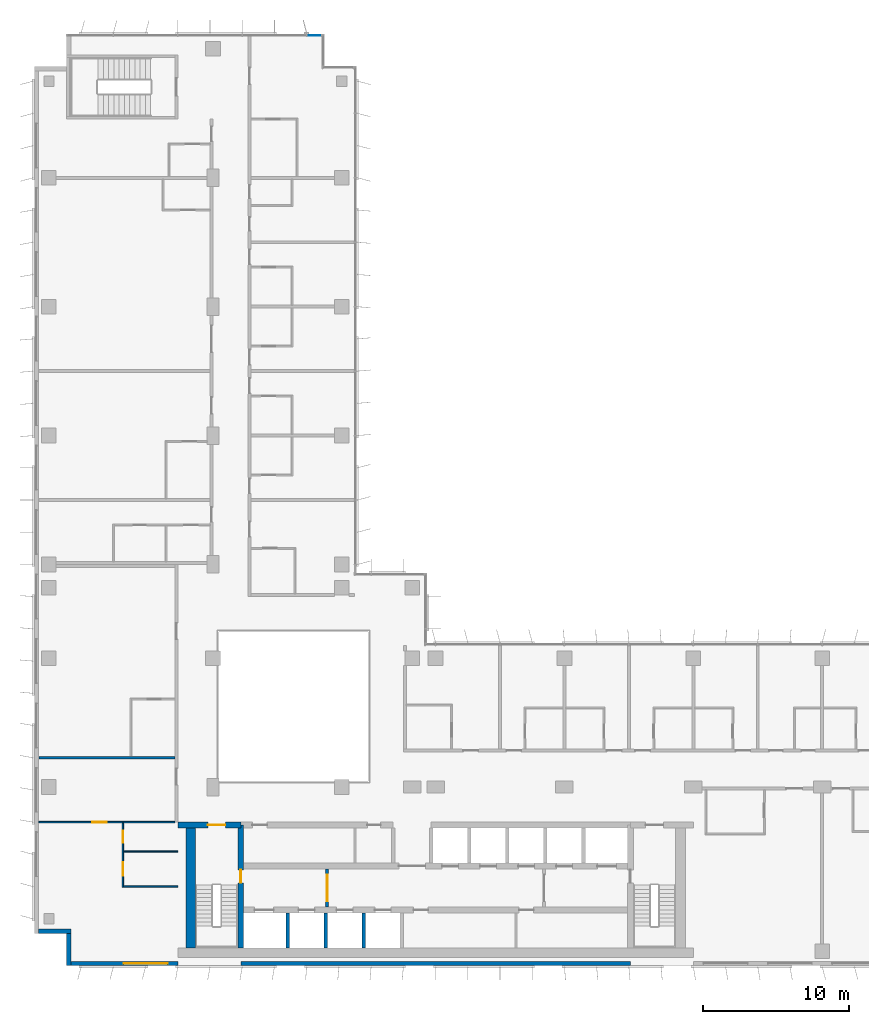
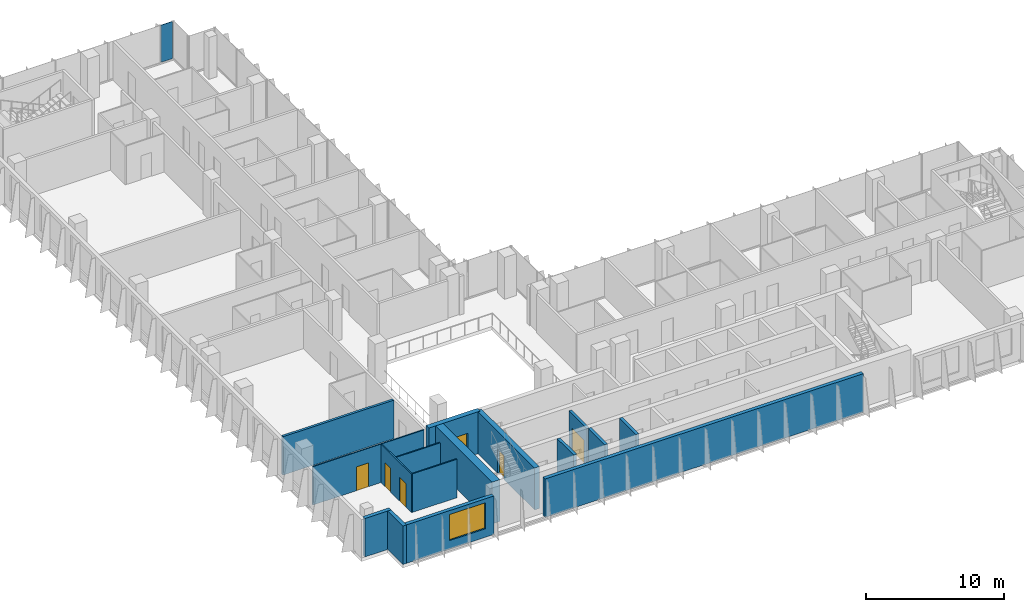
# One storey, part 12 of 21: 16 walls, 6 doors, 1 plate, 1 window, 7 openings, 1 element without a shape of its own.
"""IFC4 building model written with IfcOpenShell, lengths in metres."""

import ifcopenshell
import ifcopenshell.guid

model = None  # the IFC model being written
_history = None  # IfcOwnerHistory: only IFC2X3 demands one
_inside = {}  # id of a spatial element -> (the spatial element, [elements in it])
_under = {}  # id of a project, library or spatial element -> (it, [spatial elements below it])
_declared = {}  # id of a project -> (the project, [libraries it declares])
_typed = {}  # id of a type object -> (the type object, [elements of that type])
_made_of = {}  # id of a material, layer set ... -> (it, [elements and type objects made of it])


def new_model(schema):
    """Start an empty IFC model of exactly this schema.

    Asked for "IFC4X3", IfcOpenShell would pick the latest addendum, in which some entities
    have other attributes; the version numbers below select the first issue.
    IFC2X3 requires an IfcOwnerHistory on every rooted entity: one is made here for all.
    """
    global model, _history
    if schema == "IFC4X3":
        model = ifcopenshell.file(schema_version=(4, 3, 0, 0))
    else:
        model = ifcopenshell.file(schema=schema)
    _inside.clear()
    _under.clear()
    _declared.clear()
    _typed.clear()
    _made_of.clear()
    _history = None
    if model.schema == "IFC2X3":
        org = make("IfcOrganization", Name="unknown")
        user = make(
            "IfcPersonAndOrganization",
            ThePerson=make("IfcPerson", FamilyName="unknown"),
            TheOrganization=org,
        )
        app = make(
            "IfcApplication",
            ApplicationDeveloper=org,
            Version="unknown",
            ApplicationFullName="unknown",
            ApplicationIdentifier="unknown",
        )
        _history = make(
            "IfcOwnerHistory",
            OwningUser=user,
            OwningApplication=app,
            ChangeAction="ADDED",
            CreationDate=0,
        )
    return model


def make(cls, **values):
    """One entity of the class cls with the attributes given. An attribute that is None is left unset."""
    return model.create_entity(
        cls, **{name: value for name, value in values.items() if value is not None}
    )


def rooted(cls, **values):
    """An entity with a GlobalId (a new one), such as an element, a storey or a relation."""
    return make(cls, GlobalId=ifcopenshell.guid.new(), OwnerHistory=_history, **values)


def si_unit(unit_type, name, prefix=None):
    """IfcSIUnit, for example si_unit("LENGTHUNIT", "METRE", prefix="MILLI")."""
    return make("IfcSIUnit", UnitType=unit_type, Prefix=prefix, Name=name)


def assignment(units):
    """IfcUnitAssignment: the units of a project."""
    return None if units is None else make("IfcUnitAssignment", Units=units)


def point(xyz):
    """IfcCartesianPoint."""
    return None if xyz is None else make("IfcCartesianPoint", Coordinates=xyz)


def direction(xyz):
    """IfcDirection."""
    return None if xyz is None else make("IfcDirection", DirectionRatios=xyz)


def frame(location, z_axis=None, x_axis=None):
    """IfcAxis2Placement3D, a coordinate frame: its origin and axes. An axis left out is left unset."""
    return make(
        "IfcAxis2Placement3D",
        Location=point(location),
        Axis=direction(z_axis),
        RefDirection=direction(x_axis),
    )


def frame_2d(location, x_axis=None):
    """IfcAxis2Placement2D, a coordinate frame in the plane: its origin and x axis."""
    return make(
        "IfcAxis2Placement2D", Location=point(location), RefDirection=direction(x_axis)
    )


def origin():
    """The frame at (0, 0, 0) with its axes left unset."""
    return frame((0.0, 0.0, 0.0))


def origin_2d():
    """The frame at (0, 0) in the plane with its x axis left unset."""
    return frame_2d((0.0, 0.0))


def place(relative_to, where):
    """IfcLocalPlacement: puts the frame where relative to a parent placement (None: the world)."""
    return make(
        "IfcLocalPlacement", PlacementRelTo=relative_to, RelativePlacement=where
    )


def context(
    kind, dimensions, precision=None, world=None, true_north=None, identifier=None
):
    """IfcGeometricRepresentationContext, for example the 3D "Model" context."""
    return make(
        "IfcGeometricRepresentationContext",
        ContextIdentifier=identifier,
        ContextType=kind,
        CoordinateSpaceDimension=dimensions,
        Precision=precision,
        WorldCoordinateSystem=world,
        TrueNorth=true_north,
    )


def subcontext(parent, identifier, kind, view, scale=None):
    """IfcGeometricRepresentationSubContext, for example "Body" below "Model"."""
    return make(
        "IfcGeometricRepresentationSubContext",
        ContextIdentifier=identifier,
        ContextType=kind,
        ParentContext=parent,
        TargetScale=scale,
        TargetView=view,
    )


def project(units=None, contexts=None):
    """IfcProject with its units and contexts."""
    return rooted(
        "IfcProject",
        Name="project",
        RepresentationContexts=contexts,
        UnitsInContext=assignment(units),
    )


def spatial(cls, under=None, at=None, **own):
    """A site, building, storey or space (cls), placed at a placement, below another one or the project."""
    s = rooted(cls, ObjectPlacement=at, **own)
    if under is not None:
        _under.setdefault(under.id(), (under, []))[1].append(s)
    return s


def profile(cls, at=None, kind="AREA", **sizes):
    """A parametric profile (cls). Its sizes go by their IFC names, for example OverallWidth=200.0."""
    return make(cls, ProfileType=kind, Position=at, **sizes)


def rectangle(**sizes):
    """IfcRectangleProfileDef."""
    return profile("IfcRectangleProfileDef", **sizes)


def extrude(swept, where, along, depth):
    """IfcExtrudedAreaSolid: the profile swept, set in the frame where, extruded along a direction by depth."""
    return make(
        "IfcExtrudedAreaSolid",
        SweptArea=swept,
        Position=where,
        ExtrudedDirection=direction(along),
        Depth=depth,
    )


def shape(context_of_items, identifier, shape_type, items):
    """IfcShapeRepresentation: the items that make up one representation, for example the "Body"."""
    return make(
        "IfcShapeRepresentation",
        ContextOfItems=context_of_items,
        RepresentationIdentifier=identifier,
        RepresentationType=shape_type,
        Items=items,
    )


def source(mapping_origin, context_of_items, identifier, shape_type, items):
    """IfcRepresentationMap: a shape defined once, which mapped items show again and again."""
    return make(
        "IfcRepresentationMap",
        MappingOrigin=mapping_origin,
        MappedRepresentation=shape(context_of_items, identifier, shape_type, items),
    )


def transform(
    local_origin,
    x_axis=None,
    y_axis=None,
    z_axis=None,
    scale=None,
    scale2=None,
    scale3=None,
    uniform=True,
):
    """IfcCartesianTransformationOperator3D, or its non-uniform kind. x_axis, y_axis, z_axis: its Axis1, 2, 3."""
    if uniform:
        return make(
            "IfcCartesianTransformationOperator3D",
            Axis1=direction(x_axis),
            Axis2=direction(y_axis),
            LocalOrigin=point(local_origin),
            Scale=scale,
            Axis3=direction(z_axis),
        )
    return make(
        "IfcCartesianTransformationOperator3DnonUniform",
        Axis1=direction(x_axis),
        Axis2=direction(y_axis),
        LocalOrigin=point(local_origin),
        Scale=scale,
        Axis3=direction(z_axis),
        Scale2=scale2,
        Scale3=scale3,
    )


def mapped(mapping_source, mapping_target):
    """IfcMappedItem: shows the shape of a source again, moved by a transform."""
    return make(
        "IfcMappedItem", MappingSource=mapping_source, MappingTarget=mapping_target
    )


def material(Name=None, Category=None):
    """IfcMaterial."""
    return make("IfcMaterial", Name=Name, Category=Category)


def layer(
    of_material, thickness, ventilated=None, Name=None, Category=None, Priority=None
):
    """IfcMaterialLayer: one layer of a wall or slab, of a material (None: an air gap)."""
    return make(
        "IfcMaterialLayer",
        Material=of_material,
        LayerThickness=thickness,
        IsVentilated=ventilated,
        Name=Name,
        Category=Category,
        Priority=Priority,
    )


def layer_set(layers, Name=None):
    """IfcMaterialLayerSet."""
    return make("IfcMaterialLayerSet", MaterialLayers=layers, LayerSetName=Name)


def made_of(thing, what):
    """Note that an element or type object is made of a material, layer set ...; save() writes the relation."""
    if what is not None:
        _made_of.setdefault(what.id(), (what, []))[1].append(thing)
    return thing


def type_object(cls, material=None, **own):
    """A type object (cls), such as IfcWallType, which elements share."""
    return made_of(rooted(cls, **own), material)


def element(
    cls,
    number,
    at=None,
    inside=None,
    cuts=None,
    type_object=None,
    material=None,
    context=None,
    identifier="Body",
    shape_type=None,
    held_by="IfcProductDefinitionShape",
    body=None,
    shapes=None,
    **own,
):
    """One element of the class cls, such as IfcWall. Its Tag is "e" and its number.

    at: its placement. inside: the storey or other place that contains it. cuts: it is an
    opening in that element (IfcRelVoidsElement). A single representation is given by context,
    identifier, shape_type and body (its items); several are given by shapes. held_by: the class
    of the entity that holds the representations. save() writes the other relations.
    """
    e = rooted(cls, Tag="e%d" % number, ObjectPlacement=at, **own)
    if body is not None:
        shapes = [shape(context, identifier, shape_type, body)]
    if shapes is not None:
        e.Representation = make(held_by, Representations=shapes)
    if inside is not None:
        _inside.setdefault(inside.id(), (inside, []))[1].append(e)
    if cuts is not None:
        rooted(
            "IfcRelVoidsElement", RelatingBuildingElement=cuts, RelatedOpeningElement=e
        )
    if type_object is not None:
        _typed.setdefault(type_object.id(), (type_object, []))[1].append(e)
    return made_of(e, material)


def fill(opening, filler):
    """IfcRelFillsElement: the door or window that sits in an opening."""
    return rooted(
        "IfcRelFillsElement",
        RelatingOpeningElement=opening,
        RelatedBuildingElement=filler,
    )


def aggregate(whole, parts):
    """IfcRelAggregates: a whole, such as a stair, and the parts it consists of."""
    return rooted("IfcRelAggregates", RelatingObject=whole, RelatedObjects=parts)


def save(model, path):
    """Write the relations noted so far, then the file.

    IfcRelAggregates (storeys below a building ...), IfcRelContainedInSpatialStructure (elements
    in a storey), IfcRelDefinesByType, IfcRelAssociatesMaterial and IfcRelDeclares: one each for
    every whole, place, type object, material and project.
    """
    for whole, parts in _under.values():
        aggregate(whole, parts)
    for where, things in _inside.values():
        rooted(
            "IfcRelContainedInSpatialStructure",
            RelatedElements=things,
            RelatingStructure=where,
        )
    for kind, things in _typed.values():
        rooted("IfcRelDefinesByType", RelatedObjects=things, RelatingType=kind)
    for what, things in _made_of.values():
        rooted("IfcRelAssociatesMaterial", RelatedObjects=things, RelatingMaterial=what)
    for by, libraries in _declared.values():
        rooted("IfcRelDeclares", RelatingContext=by, RelatedDefinitions=libraries)
    model.write(path)


model = new_model("IFC4")

# Units and contexts
model_context = context("Model", 3, precision=1e-05, world=origin(), true_north=direction((0.0, 1.0)))
body_context = subcontext(model_context, "Body", "Model", "MODEL_VIEW")
ifc_project = project(units=[si_unit("LENGTHUNIT", "METRE"), si_unit("AREAUNIT", "SQUARE_METRE"), si_unit("VOLUMEUNIT", "CUBIC_METRE"), si_unit("PLANEANGLEUNIT", "RADIAN"), si_unit("MASSUNIT", "GRAM", prefix="KILO")], contexts=[model_context])

# Site, building, storey
site_placement = place(None, origin())
site = spatial("IfcSite", under=ifc_project, at=site_placement, CompositionType="ELEMENT")
building_placement = place(site_placement, origin())
building = spatial("IfcBuilding", under=site, at=building_placement, Name="Kemantara Hotel Tower", CompositionType="ELEMENT")
storey_placement = place(building_placement, frame((0.0, 0.0, 215.39990234375)))
storey = spatial("IfcBuildingStorey", under=building, at=storey_placement, Name="L53", CompositionType="ELEMENT", Elevation=215.39990234375)

# Curtain wall, plate
ifc_material_1 = material(Name="Low-E tinted double insulated glass 36 mm", Category="glass")
curtain_wall_type = type_object("IfcCurtainWallType", Name="TOWER CURTAIN WALL, FRONT FACES", PredefinedType="USERDEFINED", material=ifc_material_1)
curtain_wall_placement = place(storey_placement, origin())
curtain_wall = element("IfcCurtainWall", 1, at=curtain_wall_placement, inside=storey, type_object=curtain_wall_type, Name="CW4 L53 T3-R02-1", ObjectType="TOWER CURTAIN WALL, FRONT FACES", PredefinedType="USERDEFINED")
ifc_layer_1 = layer(ifc_material_1, 0.035888671875)
ifc_layer_set_1 = layer_set([ifc_layer_1], Name="Low-E tinted double insulated glass 36 mm")
plate_type = type_object("IfcPlateType", Name="TOWER CURTAIN WALL, FRONT FACES PANEL", PredefinedType="CURTAIN_PANEL", material=ifc_layer_set_1)
shared_shape = source(origin(), body_context, "Body", "SweptSolid", [
    extrude(rectangle(XDim=0.9599609375, YDim=0.035888671875, at=origin_2d()), origin(), (0.0, 0.0, 1.0), 3.280029296875),
])
plate_placement = place(storey_placement, frame((19.110107421875, 63.52490234375, 0.1201171875), z_axis=(0.0, 0.0, 1.0), x_axis=(-1.0, 0.0, 0.0)))
plate = element("IfcPlate", 2, at=plate_placement, type_object=plate_type, Name="CW4 glass panel T3-R02-1.1", PredefinedType="CURTAIN_PANEL", context=body_context, shape_type="MappedRepresentation", body=[
    mapped(shared_shape, transform((0.0, 0.0, 0.0))),
])
aggregate(curtain_wall, [plate])

# Walls
ifc_material_2 = material(Name="Bronze anodised aluminium cladding on insulated steel stud wall", Category="steel")
ifc_layer_2 = layer(ifc_material_2, 0.300048828125)
ifc_layer_set_2 = layer_set([ifc_layer_2], Name="Bronze anodised aluminium cladding on insulated steel stud wall")
wall_type_1 = type_object("IfcWallType", Name="BRONZE METAL-CLAD EXTERNAL WALL 300", PredefinedType="STANDARD", material=ifc_layer_set_2)
for number, where, z_axis, x_axis, name in (
    (3, (0.300048828125, 2.35009765625, 0.0), (0.0, 0.0, 1.0), (1.0, 0.0, 0.0), "EXTERNAL WALL L53 T3-R06"),
    (4, (2.35009765625, 2.199951171875, 0.0), (0.0, 0.0, 1.0), (0.0, -1.0, 0.0), "EXTERNAL WALL L53 T3-R07"),
):
    element("IfcWall", number, at=place(storey_placement, frame(where, z_axis=z_axis, x_axis=x_axis)), inside=storey, type_object=wall_type_1, Name=name, PredefinedType="STANDARD", context=body_context, shape_type="SweptSolid", body=[
        extrude(rectangle(XDim=2.199951171875, YDim=0.300048828125, at=frame_2d((1.10009765625, 0.0))), origin(), (0.0, 0.0, 1.0), 3.400146484375),
    ])

# Wall, opening, window
wall_1_placement = place(storey_placement, frame((2.5, 0.14990234375, 0.0), z_axis=(0.0, 0.0, 1.0), x_axis=(1.0, 0.0, 0.0)))
wall_1 = element("IfcWall", 5, at=wall_1_placement, inside=storey, type_object=wall_type_1, Name="EXTERNAL WALL L53 T3-R08", PredefinedType="STANDARD", context=body_context, shape_type="SweptSolid", body=[
    extrude(rectangle(XDim=7.300048828125, YDim=0.300048828125, at=frame_2d((3.64990234375, 0.0))), origin(), (0.0, 0.0, 1.0), 3.400146484375),
])
opening_1_placement = place(wall_1_placement, frame((3.60009765625, 0.0, 0.75)))
opening_1 = element("IfcOpeningElement", 6, at=opening_1_placement, cuts=wall_1, Name="Opening W1", PredefinedType="OPENING", context=body_context, shape_type="SweptSolid", body=[
    extrude(rectangle(XDim=3.0, YDim=2.300048828125, at=frame_2d((1.5, 1.14990234375))), frame((0.0, 0.159912109375, 0.0), z_axis=(0.0, -1.0, 0.0), x_axis=(1.0, 0.0, 0.0)), (0.0, 0.0, 1.0), 0.320068359375),
])
ifc_material_3 = material(Name="Low-E tinted double insulated glass in bronze anodised aluminium frame", Category="aluminium")
window_type = type_object("IfcWindowType", Name="CHICAGO WINDOW, TRIPLE PANEL 3000x2300", PartitioningType="TRIPLE_PANEL_VERTICAL", PredefinedType="WINDOW", material=ifc_material_3)
window_placement = place(opening_1_placement, origin())
window = element("IfcWindow", 7, at=window_placement, inside=storey, type_object=window_type, Name="CHICAGO WINDOW L53 T3-R08-54", OverallHeight=2.300048828125, OverallWidth=3.0, PartitioningType="SINGLE_PANEL", PredefinedType="WINDOW", context=body_context, shape_type="SweptSolid", body=[
    extrude(rectangle(XDim=3.0, YDim=2.300048828125, at=frame_2d((1.5, 1.14990234375))), frame((0.0, 0.030029296875, 0.0), z_axis=(0.0, -1.0, 0.0), x_axis=(1.0, 0.0, 0.0)), (0.0, 0.0, 1.0), 0.06005859375),
])
fill(opening_1, window)

# Walls
wall_2_placement = place(storey_placement, frame((14.10009765625, 0.14990234375, 0.0), z_axis=(0.0, 0.0, 1.0), x_axis=(1.0, 0.0, 0.0)))
element("IfcWall", 8, at=wall_2_placement, inside=storey, type_object=wall_type_1, Name="EXTERNAL WALL L53 T3-R08-2", PredefinedType="STANDARD", context=body_context, shape_type="SweptSolid", body=[
    extrude(rectangle(XDim=26.599853515625, YDim=0.300048828125, at=frame_2d((13.2998046875, 0.0))), origin(), (0.0, 0.0, 1.0), 3.400146484375),
])
ifc_material_4 = material(Name="Concrete fc 60 MPa", Category="concrete")
ifc_layer_3 = layer(ifc_material_4, 0.25)
ifc_layer_set_3 = layer_set([ifc_layer_3], Name="Concrete fc 60 MPa")
wall_type_2 = type_object("IfcWallType", Name="CORE WALL 250 FC60", PredefinedType="SHEAR", material=ifc_layer_set_3)
for number, where, z_axis, x_axis, name in (
    (9, (17.300048828125, 1.199951171875, 0.0), (0.0, 0.0, 1.0), (0.0, 1.0, 0.0), "CORE WALL CW-DS17.3"),
    (10, (19.89990234375, 1.199951171875, 0.0), (0.0, 0.0, 1.0), (0.0, 1.0, 0.0), "CORE WALL CW-DS19.9"),
    (11, (22.5, 1.199951171875, 0.0), (0.0, 0.0, 1.0), (0.0, 1.0, 0.0), "CORE WALL CW-DS22.5"),
):
    element("IfcWall", number, at=place(storey_placement, frame(where, z_axis=z_axis, x_axis=x_axis)), inside=storey, type_object=wall_type_2, Name=name, PredefinedType="SHEAR", context=body_context, shape_type="SweptSolid", body=[
        extrude(rectangle(XDim=2.400146484375, YDim=0.25, at=frame_2d((1.2001953125, 0.0))), origin(), (0.0, 0.0, 1.0), 3.7001953125),
    ])

# Wall, opening, door
ifc_layer_4 = layer(ifc_material_4, 0.39990234375)
ifc_layer_set_4 = layer_set([ifc_layer_4], Name="Concrete fc 60 MPa")
wall_type_3 = type_object("IfcWallType", Name="CORE WALL 400 FC60", PredefinedType="SHEAR", material=ifc_layer_set_4)
wall_3_placement = place(storey_placement, frame((9.800048828125, 9.60009765625, 0.0), z_axis=(0.0, 0.0, 1.0), x_axis=(1.0, 0.0, 0.0)))
wall_3 = element("IfcWall", 12, at=wall_3_placement, inside=storey, type_object=wall_type_3, Name="CORE WALL CW-N1", PredefinedType="SHEAR", context=body_context, shape_type="SweptSolid", body=[
    extrude(rectangle(XDim=4.300048828125, YDim=0.39990234375, at=frame_2d((2.14990234375, 0.0))), origin(), (0.0, 0.0, 1.0), 3.7001953125),
])
opening_2_placement = place(wall_3_placement, frame((2.050048828125, 0.0, 0.0)))
opening_2 = element("IfcOpeningElement", 13, at=opening_2_placement, cuts=wall_3, Name="Opening C33-ST1-C", PredefinedType="OPENING", context=body_context, shape_type="SweptSolid", body=[
    extrude(rectangle(XDim=1.199951171875, YDim=2.10009765625, at=frame_2d((0.60009765625, 1.050048828125))), frame((0.0, 0.2099609375, 0.0), z_axis=(0.0, -1.0, 0.0), x_axis=(1.0, 0.0, 0.0)), (0.0, 0.0, 1.0), 0.419921875),
])
ifc_material_5 = material(Name="Steel fire door", Category="steel")
door_type_1 = type_object("IfcDoorType", Name="Fire door FD90 1200 x 2100", OperationType="NOTDEFINED", PredefinedType="DOOR", material=ifc_material_5)
door_1_placement = place(opening_2_placement, frame((1.199951171875, 0.0, 0.0), z_axis=(0.0, 0.0, 1.0), x_axis=(-1.0, 0.0, 0.0)))
door_1 = element("IfcDoor", 14, at=door_1_placement, inside=storey, type_object=door_type_1, Name="Stair ST1 door to corridor", OperationType="SINGLE_SWING_LEFT", OverallHeight=2.10009765625, OverallWidth=1.199951171875, PredefinedType="DOOR", context=body_context, shape_type="SweptSolid", body=[
    extrude(rectangle(XDim=1.199951171875, YDim=2.10009765625, at=frame_2d((0.60009765625, 1.050048828125))), frame((0.0, 0.02490234375, 0.0), z_axis=(0.0, -1.0, 0.0), x_axis=(1.0, 0.0, 0.0)), (0.0, 0.0, 1.0), 0.050048828125),
])
fill(opening_2, door_1)

wall_4_placement = place(storey_placement, frame((14.10009765625, 1.199951171875, 0.0), z_axis=(0.0, 0.0, 1.0), x_axis=(0.0, 1.0, 0.0)))
wall_4 = element("IfcWall", 15, at=wall_4_placement, inside=storey, type_object=wall_type_3, Name="CORE WALL CW-ST1E", PredefinedType="SHEAR", context=body_context, shape_type="SweptSolid", body=[
    extrude(rectangle(XDim=8.400146484375, YDim=0.39990234375, at=frame_2d((4.2001953125, 0.0))), origin(), (0.0, 0.0, 1.0), 3.7001953125),
])
opening_3_placement = place(wall_4_placement, frame((4.449951171875, 0.0, 0.0)))
opening_3 = element("IfcOpeningElement", 16, at=opening_3_placement, cuts=wall_4, Name="Opening C33-ST1-F", PredefinedType="OPENING", context=body_context, shape_type="SweptSolid", body=[
    extrude(rectangle(XDim=0.89990234375, YDim=2.10009765625, at=frame_2d((0.449951171875, 1.050048828125))), frame((0.0, 0.2099609375, 0.0), z_axis=(0.0, -1.0, 0.0), x_axis=(1.0, 0.0, 0.0)), (0.0, 0.0, 1.0), 0.419921875),
])
door_type_2 = type_object("IfcDoorType", Name="Fire door FD90 900 x 2100", OperationType="NOTDEFINED", PredefinedType="DOOR", material=ifc_material_5)
door_2_placement = place(opening_3_placement, origin())
door_2 = element("IfcDoor", 17, at=door_2_placement, inside=storey, type_object=door_type_2, Name="Stair ST1 door to firefighting lobby", OperationType="SINGLE_SWING_RIGHT", OverallHeight=2.10009765625, OverallWidth=0.89990234375, PredefinedType="DOOR", context=body_context, shape_type="SweptSolid", body=[
    extrude(rectangle(XDim=0.89990234375, YDim=2.10009765625, at=frame_2d((0.449951171875, 1.050048828125))), frame((0.0, 0.02490234375, 0.0), z_axis=(0.0, -1.0, 0.0), x_axis=(1.0, 0.0, 0.0)), (0.0, 0.0, 1.0), 0.050048828125),
])
fill(opening_3, door_2)

# Walls
ifc_layer_5 = layer(ifc_material_4, 0.64990234375)
ifc_layer_set_5 = layer_set([ifc_layer_5], Name="Concrete fc 60 MPa")
wall_type_4 = type_object("IfcWallType", Name="CORE WALL 650 FC60", PredefinedType="SHEAR", material=ifc_layer_set_5)
wall_5_placement = place(storey_placement, frame((10.675048828125, 1.199951171875, 0.0), z_axis=(0.0, 0.0, 1.0), x_axis=(0.0, 1.0, 0.0)))
element("IfcWall", 18, at=wall_5_placement, inside=storey, type_object=wall_type_4, Name="CORE WALL CW-W", PredefinedType="SHEAR", context=body_context, shape_type="SweptSolid", body=[
    extrude(rectangle(XDim=8.60009765625, YDim=0.64990234375, at=frame_2d((4.300048828125, 0.0))), origin(), (0.0, 0.0, 1.0), 3.7001953125),
])
ifc_material_6 = material(Name="Gypsum board partition, steel studs and mineral wool, 200 mm", Category="steel")
ifc_layer_6 = layer(ifc_material_6, 0.199951171875)
ifc_layer_set_6 = layer_set([ifc_layer_6], Name="Gypsum board partition, steel studs and mineral wool, 200 mm")
wall_type_5 = type_object("IfcWallType", Name="GUEST ROOM PARTY WALL 200", PredefinedType="PARTITIONING", material=ifc_layer_set_6)
wall_6_placement = place(storey_placement, frame((0.31005859375, 14.199951171875, 0.0), z_axis=(0.0, 0.0, 1.0), x_axis=(1.0, 0.0, 0.0)))
element("IfcWall", 19, at=wall_6_placement, inside=storey, type_object=wall_type_5, Name="GUEST ROOM PARTY WALL 200 015", PredefinedType="PARTITIONING", context=body_context, shape_type="SweptSolid", body=[
    extrude(rectangle(XDim=9.2900390625, YDim=0.199951171875, at=frame_2d((4.64501953125, 0.0))), origin(), (0.0, 0.0, 1.0), 3.400146484375),
])

# Wall, opening, door
ifc_material_7 = material(Name="Gypsum board shaft wall")
ifc_layer_7 = layer(ifc_material_7, 0.199951171875)
ifc_layer_set_7 = layer_set([ifc_layer_7], Name="Gypsum board shaft wall")
wall_type_6 = type_object("IfcWallType", Name="Gypsum board shaft wall 200 mm", PredefinedType="PARTITIONING", material=ifc_layer_set_7)
wall_7_placement = place(storey_placement, frame((20.0, 4.0, 0.0), z_axis=(0.0, 0.0, 1.0), x_axis=(0.0, 1.0, 0.0)))
wall_7 = element("IfcWall", 20, at=wall_7_placement, inside=storey, type_object=wall_type_6, Name="Firefighting lobby partition west", PredefinedType="PARTITIONING", context=body_context, shape_type="SweptSolid", body=[
    extrude(rectangle(XDim=2.60009765625, YDim=0.199951171875, at=frame_2d((1.300048828125, 0.0))), origin(), (0.0, 0.0, 1.0), 3.400146484375),
])
opening_4_placement = place(wall_7_placement, frame((0.39990234375, 0.0, 0.0)))
opening_4 = element("IfcOpeningElement", 21, at=opening_4_placement, cuts=wall_7, Name="Opening C33-FFW", PredefinedType="OPENING", context=body_context, shape_type="SweptSolid", body=[
    extrude(rectangle(XDim=1.800048828125, YDim=2.10009765625, at=frame_2d((0.89990234375, 1.050048828125))), frame((0.0, 0.10986328125, 0.0), z_axis=(0.0, -1.0, 0.0), x_axis=(1.0, 0.0, 0.0)), (0.0, 0.0, 1.0), 0.219970703125),
])
door_type_3 = type_object("IfcDoorType", Name="Fire door pair FD60 1800 x 2100", OperationType="DOUBLE_DOOR_SINGLE_SWING", PredefinedType="DOOR", material=ifc_material_5)
door_3_placement = place(opening_4_placement, origin())
door_3 = element("IfcDoor", 22, at=door_3_placement, inside=storey, type_object=door_type_3, Name="Firefighting lobby door west", OperationType="DOUBLE_DOOR_SINGLE_SWING", OverallHeight=2.10009765625, OverallWidth=1.800048828125, PredefinedType="DOOR", context=body_context, shape_type="SweptSolid", body=[
    extrude(rectangle(XDim=1.800048828125, YDim=2.10009765625, at=frame_2d((0.89990234375, 1.050048828125))), frame((0.0, 0.02490234375, 0.0), z_axis=(0.0, -1.0, 0.0), x_axis=(1.0, 0.0, 0.0)), (0.0, 0.0, 1.0), 0.050048828125),
])
fill(opening_4, door_3)

# Wall, openings, doors
ifc_material_8 = material(Name="Gypsum board partition on steel studs, 100 mm", Category="steel")
ifc_layer_8 = layer(ifc_material_8, 0.10009765625)
ifc_layer_set_8 = layer_set([ifc_layer_8], Name="Gypsum board partition on steel studs, 100 mm")
wall_type_7 = type_object("IfcWallType", Name="ROOM PARTITION 100", PredefinedType="PARTITIONING", material=ifc_layer_set_8)
wall_8_placement = place(storey_placement, frame((6.050048828125, 9.75, 0.0), z_axis=(0.0, 0.0, 1.0), x_axis=(0.0, -1.0, 0.0)))
wall_8 = element("IfcWall", 23, at=wall_8_placement, inside=storey, type_object=wall_type_7, Name="ROOM PARTITION 100 054", PredefinedType="PARTITIONING", context=body_context, shape_type="SweptSolid", body=[
    extrude(rectangle(XDim=4.39990234375, YDim=0.10009765625, at=frame_2d((2.199951171875, 0.0))), origin(), (0.0, 0.0, 1.0), 3.400146484375),
])
opening_5_placement = place(wall_8_placement, frame((2.699951171875, 0.0, 0.0)))
opening_5 = element("IfcOpeningElement", 24, at=opening_5_placement, cuts=wall_8, Name="Opening F26-021", PredefinedType="OPENING", context=body_context, shape_type="SweptSolid", body=[
    extrude(rectangle(XDim=0.89990234375, YDim=2.10009765625, at=frame_2d((0.449951171875, 1.050048828125))), frame((0.0, 0.06005859375, 0.0), z_axis=(0.0, -1.0, 0.0), x_axis=(1.0, 0.0, 0.0)), (0.0, 0.0, 1.0), 0.1201171875),
])
opening_6_placement = place(wall_8_placement, frame((0.550048828125, 0.0, 0.0)))
opening_6 = element("IfcOpeningElement", 25, at=opening_6_placement, cuts=wall_8, Name="Opening F26-022", PredefinedType="OPENING", context=body_context, shape_type="SweptSolid", body=[
    extrude(rectangle(XDim=0.800048828125, YDim=2.10009765625, at=frame_2d((0.39990234375, 1.050048828125))), frame((0.0, 0.06005859375, 0.0), z_axis=(0.0, -1.0, 0.0), x_axis=(1.0, 0.0, 0.0)), (0.0, 0.0, 1.0), 0.1201171875),
])
ifc_material_9 = material(Name="Hardwood veneer door leaf with steel frame", Category="steel")
door_type_4 = type_object("IfcDoorType", Name="BATHROOM DOOR 900 X 2100", OperationType="NOTDEFINED", PredefinedType="DOOR", material=ifc_material_9)
door_4_placement = place(opening_5_placement, origin())
door_4 = element("IfcDoor", 26, at=door_4_placement, inside=storey, type_object=door_type_4, Name="BATHROOM DOOR F26-021", OperationType="SINGLE_SWING_LEFT", OverallHeight=2.10009765625, OverallWidth=0.89990234375, PredefinedType="DOOR", context=body_context, shape_type="SweptSolid", body=[
    extrude(rectangle(XDim=0.89990234375, YDim=2.10009765625, at=frame_2d((0.449951171875, 1.050048828125))), frame((0.0, 0.02490234375, 0.0), z_axis=(0.0, -1.0, 0.0), x_axis=(1.0, 0.0, 0.0)), (0.0, 0.0, 1.0), 0.050048828125),
])
fill(opening_5, door_4)
door_type_5 = type_object("IfcDoorType", Name="WARDROBE DOOR 800 X 2100", OperationType="NOTDEFINED", PredefinedType="DOOR", material=ifc_material_9)
door_5_placement = place(opening_6_placement, origin())
door_5 = element("IfcDoor", 27, at=door_5_placement, inside=storey, type_object=door_type_5, Name="WARDROBE DOOR F26-022", OperationType="SINGLE_SWING_LEFT", OverallHeight=2.10009765625, OverallWidth=0.800048828125, PredefinedType="DOOR", context=body_context, shape_type="SweptSolid", body=[
    extrude(rectangle(XDim=0.800048828125, YDim=2.10009765625, at=frame_2d((0.39990234375, 1.050048828125))), frame((0.0, 0.02490234375, 0.0), z_axis=(0.0, -1.0, 0.0), x_axis=(1.0, 0.0, 0.0)), (0.0, 0.0, 1.0), 0.050048828125),
])
fill(opening_6, door_5)

# Wall, opening, door
wall_9_placement = place(storey_placement, frame((9.60009765625, 9.800048828125, 0.0), z_axis=(0.0, 0.0, 1.0), x_axis=(-1.0, 0.0, 0.0)))
wall_9 = element("IfcWall", 28, at=wall_9_placement, inside=storey, type_object=wall_type_7, Name="ROOM PARTITION 100 055", PredefinedType="PARTITIONING", context=body_context, shape_type="SweptSolid", body=[
    extrude(rectangle(XDim=9.2900390625, YDim=0.10009765625, at=frame_2d((4.64501953125, 0.0))), origin(), (0.0, 0.0, 1.0), 3.400146484375),
])
opening_7_placement = place(wall_9_placement, frame((4.64990234375, 0.0, 0.0)))
opening_7 = element("IfcOpeningElement", 29, at=opening_7_placement, cuts=wall_9, Name="Opening F26-020", PredefinedType="OPENING", context=body_context, shape_type="SweptSolid", body=[
    extrude(rectangle(XDim=1.0, YDim=2.10009765625, at=frame_2d((0.5, 1.050048828125))), frame((0.0, 0.06005859375, 0.0), z_axis=(0.0, -1.0, 0.0), x_axis=(1.0, 0.0, 0.0)), (0.0, 0.0, 1.0), 0.1201171875),
])
door_type_6 = type_object("IfcDoorType", Name="INTERNAL DOOR 1000 X 2100", OperationType="NOTDEFINED", PredefinedType="DOOR", material=ifc_material_9)
door_6_placement = place(opening_7_placement, origin())
door_6 = element("IfcDoor", 30, at=door_6_placement, inside=storey, type_object=door_type_6, Name="INTERNAL DOOR F26-020", OperationType="SINGLE_SWING_LEFT", OverallHeight=2.10009765625, OverallWidth=1.0, PredefinedType="DOOR", context=body_context, shape_type="SweptSolid", body=[
    extrude(rectangle(XDim=1.0, YDim=2.10009765625, at=frame_2d((0.5, 1.050048828125))), frame((0.0, 0.02490234375, 0.0), z_axis=(0.0, -1.0, 0.0), x_axis=(1.0, 0.0, 0.0)), (0.0, 0.0, 1.0), 0.050048828125),
])
fill(opening_7, door_6)

# Walls
for number, where, z_axis, x_axis, name in (
    (31, (6.10009765625, 5.39990234375, 0.0), (0.0, 0.0, 1.0), (1.0, 0.0, 0.0), "ROOM PARTITION 100 056"),
    (32, (6.10009765625, 7.800048828125, 0.0), (0.0, 0.0, 1.0), (1.0, 0.0, 0.0), "ROOM PARTITION 100 057"),
):
    element("IfcWall", number, at=place(storey_placement, frame(where, z_axis=z_axis, x_axis=x_axis)), inside=storey, type_object=wall_type_7, Name=name, PredefinedType="PARTITIONING", context=body_context, shape_type="SweptSolid", body=[
        extrude(rectangle(XDim=3.69970703125, YDim=0.10009765625, at=frame_2d((1.849853515625, 0.0))), origin(), (0.0, 0.0, 1.0), 3.400146484375),
    ])

save(model, "model.ifc")
